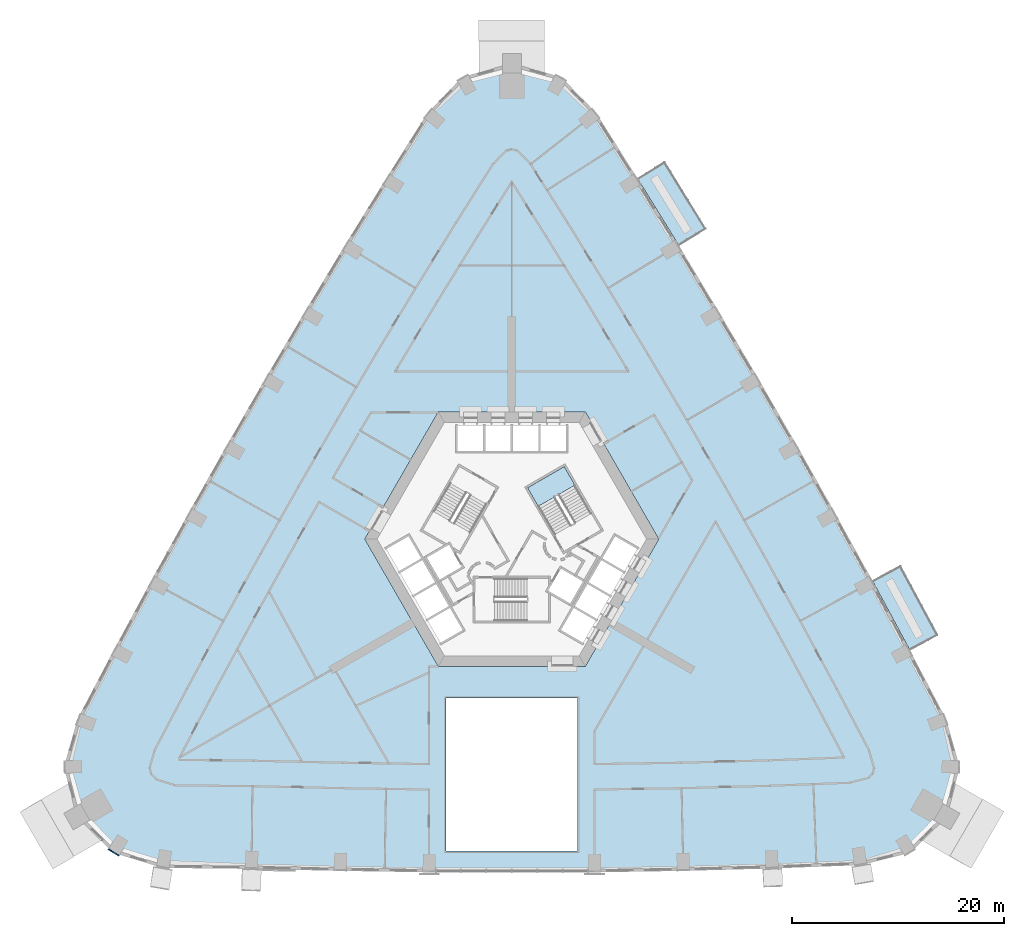
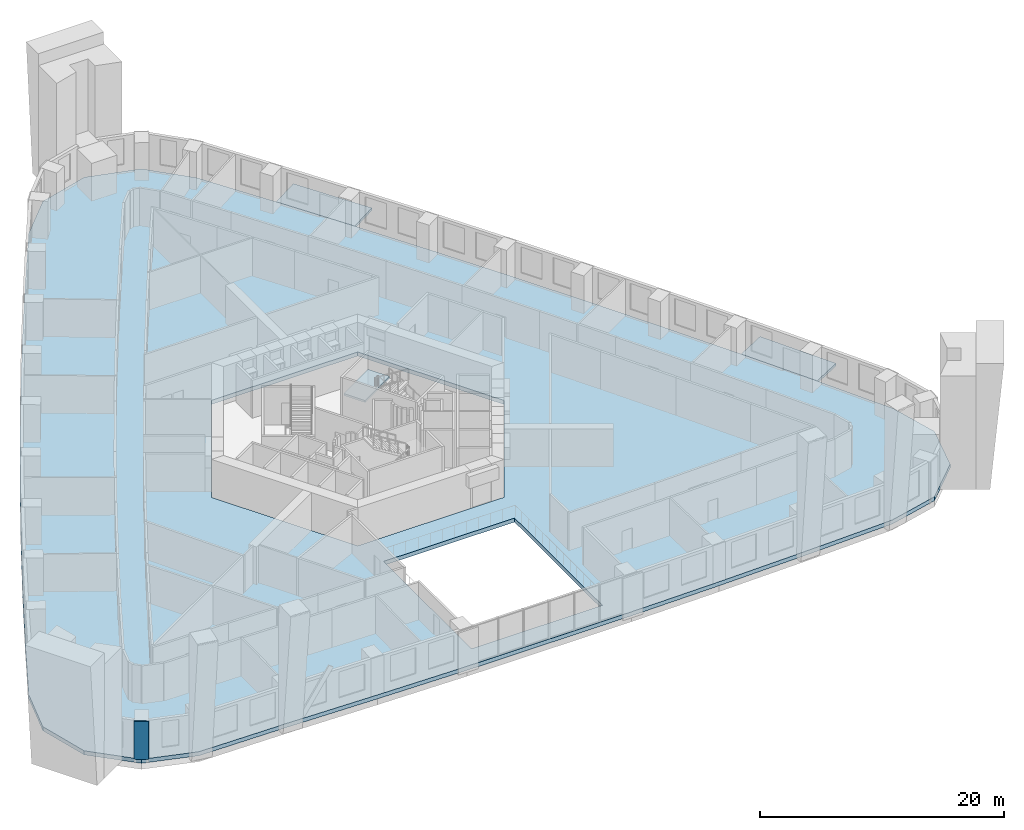
# One storey, part 3 of 16: 4 slabs, 1 wall, 1 element without a shape of its own.
"""IFC4 building model written with IfcOpenShell, lengths in metres."""

from ifc_helpers import new_model, si_unit, direction, frame, frame_2d, origin, place, context, subcontext, project, spatial, polyline, rectangle, outline, extrude, material, layer, layer_set, type_object, element, aggregate, save


model = new_model("IFC4")

# Units and contexts
model_context = context("Model", 3, precision=1e-05, world=origin(), true_north=direction((0.0, 1.0)))
body_context = subcontext(model_context, "Body", "Model", "MODEL_VIEW")
ifc_project = project(units=[si_unit("LENGTHUNIT", "METRE"), si_unit("AREAUNIT", "SQUARE_METRE"), si_unit("VOLUMEUNIT", "CUBIC_METRE"), si_unit("PLANEANGLEUNIT", "RADIAN"), si_unit("MASSUNIT", "GRAM", prefix="KILO")], contexts=[model_context])

# Site, building, storey
site_placement = place(None, origin())
site = spatial("IfcSite", under=ifc_project, at=site_placement, CompositionType="ELEMENT")
building_placement = place(site_placement, origin())
building = spatial("IfcBuilding", under=site, at=building_placement, Name="Entoto Arch Interchange Tower", CompositionType="ELEMENT")
storey_placement = place(building_placement, frame((0.0, 0.0, 47.60009765625)))
storey = spatial("IfcBuildingStorey", under=building, at=storey_placement, Name="L09", CompositionType="ELEMENT", Elevation=47.60009765625)

# Slabs
ifc_material_1 = material(Name="Board-marked precast concrete C50/60", Category="concrete")
ifc_layer_1 = layer(ifc_material_1, 0.25)
ifc_layer_set_1 = layer_set([ifc_layer_1], Name="Board-marked precast concrete C50/60")
slab_type_1 = type_object("IfcSlabType", Name="BALCONY DECK PRECAST 250", PredefinedType="FLOOR", material=ifc_layer_set_1)
slab_1_placement = place(storey_placement, frame((0.0, 0.0, -0.25)))
element("IfcSlab", 1, at=slab_1_placement, inside=storey, type_object=slab_type_1, Name="Planted balcony NE-02 L09", PredefinedType="FLOOR", context=body_context, shape_type="SweptSolid", body=[
    extrude(outline(polyline([(37.5029296875, -7.927001953125), (34.028076171875, -1.48291015625), (36.625, -0.0830078125), (40.10009765625, -6.527099609375), (37.5029296875, -7.927001953125)])), origin(), (0.0, 0.0, 1.0), 0.25),
])
slab_2_placement = place(storey_placement, frame((0.0, 0.0, -0.25)))
element("IfcSlab", 2, at=slab_2_placement, inside=storey, type_object=slab_type_1, Name="Planted balcony NE-08 L09", PredefinedType="FLOOR", context=body_context, shape_type="SweptSolid", body=[
    extrude(outline(polyline([(15.72900390625, 30.2119140625), (11.885986328125, 36.44189453125), (14.39697265625, 37.990966796875), (18.239990234375, 31.760986328125), (15.72900390625, 30.2119140625)])), origin(), (0.0, 0.0, 1.0), 0.25),
])

# Stair, slab
ifc_material_2 = material(Name="Concrete C40/50", Category="concrete")
stair_type = type_object("IfcStairType", Name="EXIT STAIR RC 1800", PredefinedType="HALF_TURN_STAIR", material=ifc_material_2)
stair_placement = place(storey_placement, origin())
stair = element("IfcStair", 3, at=stair_placement, inside=storey, type_object=stair_type, Name="L09 Exit stair NE", PredefinedType="HALF_TURN_STAIR")
ifc_layer_2 = layer(ifc_material_2, 0.199951171875)
ifc_layer_set_2 = layer_set([ifc_layer_2], Name="Concrete C40/50")
slab_type_2 = type_object("IfcSlabType", Name="EXIT STAIR LANDING RC 200", PredefinedType="LANDING", material=ifc_layer_set_2)
slab_3_placement = place(storey_placement, frame((0.0, 0.0, 1.89990234375)))
slab_3 = element("IfcSlab", 4, at=slab_3_placement, type_object=slab_type_2, Name="ST-NE landing 1", PredefinedType="LANDING", context=body_context, shape_type="SweptSolid", body=[
    extrude(outline(polyline([(5.953369140625, 7.58837890625), (4.943359375, 9.337890625), (1.479248046875, 7.337890625), (2.4892578125, 5.58837890625), (5.953369140625, 7.58837890625)])), origin(), (0.0, 0.0, 1.0), 0.199951171875),
])
aggregate(stair, [slab_3])

# Slab
ifc_layer_3 = layer(ifc_material_2, 0.39990234375)
ifc_layer_set_3 = layer_set([ifc_layer_3], Name="Concrete C40/50")
slab_type_3 = type_object("IfcSlabType", Name="Post-tensioned flat plate 400 C40/50", PredefinedType="FLOOR", material=ifc_layer_set_3)
slab_4_placement = place(storey_placement, frame((0.0, 0.0, -0.400146484375)))
element("IfcSlab", 5, at=slab_4_placement, inside=storey, type_object=slab_type_3, Name="Floor slab L09", PredefinedType="FLOOR", context=body_context, shape_type="SweptSolid", body=[
    extrude(outline(polyline([(-32.910888671875, -28.49609375), (-24.5400390625, -28.589111328125), (-16.169921875, -28.777099609375), (-7.800048828125, -28.909912109375), (7.800048828125, -28.909912109375), (16.169921875, -28.777099609375), (24.5400390625, -28.551025390625), (32.910888671875, -28.23193359375), (37.554931640625, -27.075927734375), (41.012939453125, -23.678955078125), (42.22607421875, -18.986083984375), (40.94091796875, -14.45703125), (37.5029296875, -7.927001953125), (34.028076171875, -1.48291015625), (30.491943359375, 4.925048828125), (26.89404296875, 11.301025390625), (23.23388671875, 17.639892578125), (19.511962890625, 23.944091796875), (15.72900390625, 30.2119140625), (11.885986328125, 36.44189453125), (7.950927734375, 42.68505859375), (4.669921875, 46.06103515625), (0.0, 47.35791015625), (-4.669921875, 46.06103515625), (-7.950927734375, 42.68505859375), (-11.885986328125, 36.44189453125), (-15.72900390625, 30.2119140625), (-19.511962890625, 23.944091796875), (-23.23388671875, 17.639892578125), (-26.89404296875, 11.301025390625), (-30.491943359375, 4.925048828125), (-34.028076171875, -1.48291015625), (-37.5029296875, -7.927001953125), (-40.94091796875, -14.45703125), (-42.22607421875, -18.986083984375), (-41.012939453125, -23.678955078125), (-37.554931640625, -27.075927734375), (-32.910888671875, -28.49609375)]), holes=[polyline([(6.199951171875, -26.909912109375), (6.199951171875, -12.5), (-6.199951171875, -12.5), (-6.199951171875, -26.909912109375), (6.199951171875, -26.909912109375)]), polyline([(13.85595703125, 2.5), (6.927978515625, 14.5), (-6.927978515625, 14.5), (-13.85595703125, 2.5), (-6.927978515625, -9.5), (6.927978515625, -9.5), (13.85595703125, 2.5)])]), origin(), (0.0, 0.0, 1.0), 0.400146484375),
])

# Wall
ifc_material_3 = material(Name="Welded tuff (ignimbrite) cladding, warm buff", Category="masonry")
ifc_layer_4 = layer(ifc_material_3, 0.10009765625)
ifc_layer_set_4 = layer_set([ifc_layer_4], Name="Welded tuff (ignimbrite) cladding, warm buff")
wall_type = type_object("IfcWallType", Name="STONE PIER CLADDING 100", PredefinedType="STANDARD", material=ifc_layer_set_4)
wall_placement = place(storey_placement, frame((-38.0419921875, -26.721923828125, 0.0), z_axis=(0.0, 0.0, 1.0), x_axis=(0.854716608594, -0.519094903649, 0.0)))
element("IfcWall", 6, at=wall_placement, inside=storey, type_object=wall_type, Name="Stone pier SW3 L09", PredefinedType="STANDARD", context=body_context, shape_type="SweptSolid", body=[
    extrude(rectangle(XDim=1.2001953125, YDim=0.10009765625, at=frame_2d((0.60009765625, 0.0))), origin(), (0.0, 0.0, 1.0), 3.7998046875),
])

save(model, "model.ifc")
